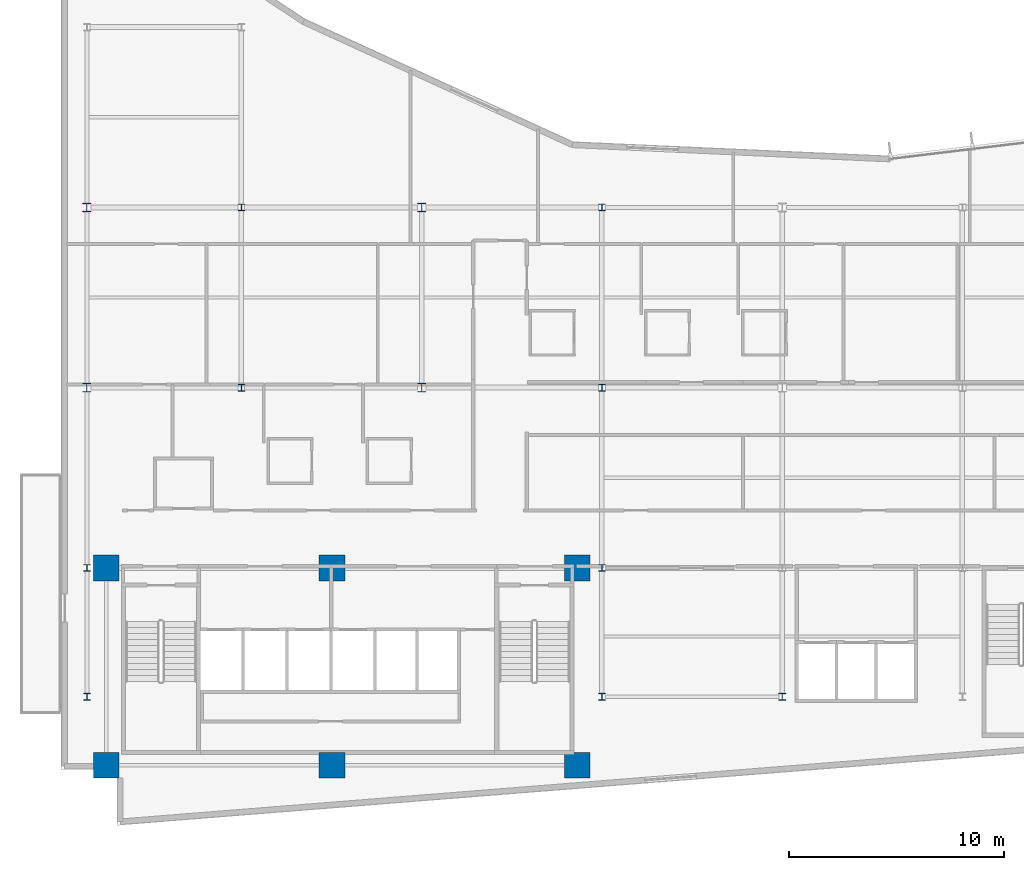
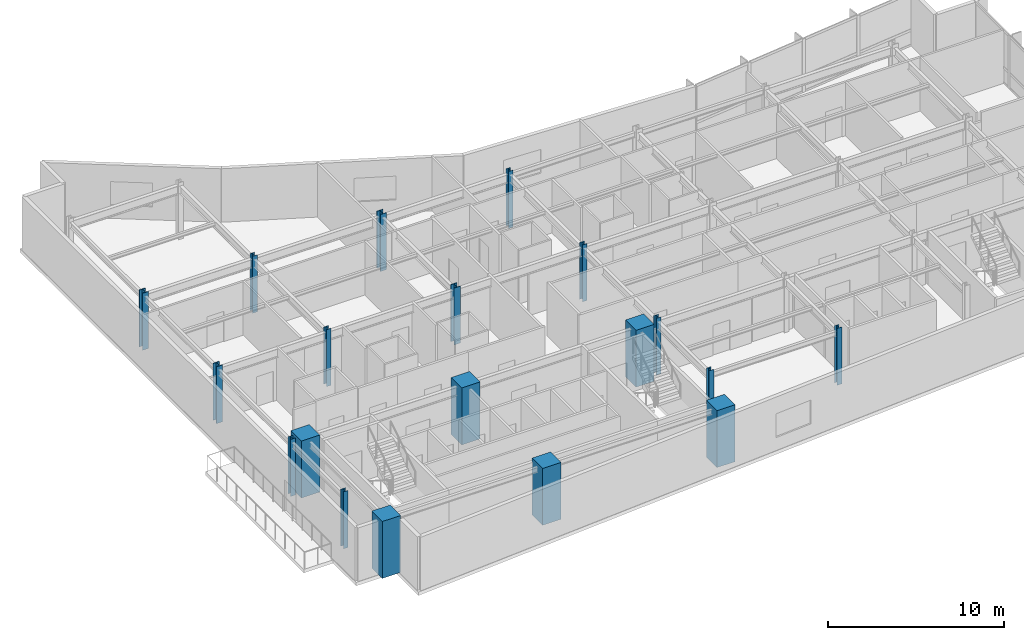
# One storey, part 1 of 18: 19 columns.
"""IFC4 building model written with IfcOpenShell, lengths in metres."""

from ifc_helpers import new_model, si_unit, direction, frame, origin, origin_2d, place, context, subcontext, project, spatial, rectangle, i_section, extrude, material, material_profile, profile_set, type_object, element, save


model = new_model("IFC4")

# Units and contexts
model_context = context("Model", 3, precision=1e-05, world=origin(), true_north=direction((0.0, 1.0)))
body_context = subcontext(model_context, "Body", "Model", "MODEL_VIEW")
ifc_project = project(units=[si_unit("LENGTHUNIT", "METRE"), si_unit("AREAUNIT", "SQUARE_METRE"), si_unit("VOLUMEUNIT", "CUBIC_METRE"), si_unit("PLANEANGLEUNIT", "RADIAN"), si_unit("MASSUNIT", "GRAM", prefix="KILO")], contexts=[model_context])

# Site, building, storey
site_placement = place(None, origin())
site = spatial("IfcSite", under=ifc_project, at=site_placement, CompositionType="ELEMENT")
building_placement = place(site_placement, origin())
building = spatial("IfcBuilding", under=site, at=building_placement, Name="Varnakote Quay Hospital", CompositionType="ELEMENT")
storey_placement = place(building_placement, frame((0.0, 0.0, 158.64990234375)))
storey = spatial("IfcBuildingStorey", under=building, at=storey_placement, Name="L39", CompositionType="ELEMENT", Elevation=158.64990234375)

# Columns
ifc_material_1 = material(Name="Concrete N80 (f'c 80 MPa)", Category="concrete")
ifc_material_profile_1 = material_profile(ifc_material_1, rectangle(XDim=1.199951171875, YDim=1.199951171875, at=origin_2d()), Name="RC-COL-1200x1200")
ifc_profile_set_1 = profile_set([ifc_material_profile_1], Name="Concrete N80 (f'c 80 MPa)")
column_type_1 = type_object("IfcColumnType", Name="COL-RC-1200", PredefinedType="COLUMN", material=ifc_profile_set_1)
for number, where, z_axis, x_axis, name in (
    (1, (2.10009765625, 2.800048828125, 0.0), (0.0, 0.0, 1.0), (1.0, 0.0, 0.0), "L39 Structural Column C-2-3"),
    (2, (12.6201171875, 2.800048828125, 0.0), (0.0, 0.0, 1.0), (1.0, 0.0, 0.0), "L39 Structural Column C-13-3"),
    (3, (24.050048828125, 2.800048828125, 0.0), (0.0, 0.0, 1.0), (1.0, 0.0, 0.0), "L39 Structural Column C-24-3"),
    (4, (2.10009765625, 12.0, 0.0), (0.0, 0.0, 1.0), (1.0, 0.0, 0.0), "L39 Structural Column C-2-12"),
    (5, (12.6201171875, 12.0, 0.0), (0.0, 0.0, 1.0), (1.0, 0.0, 0.0), "L39 Structural Column C-13-12"),
    (6, (24.050048828125, 12.0, 0.0), (0.0, 0.0, 1.0), (1.0, 0.0, 0.0), "L39 Structural Column C-24-12"),
):
    element("IfcColumn", number, at=place(storey_placement, frame(where, z_axis=z_axis, x_axis=x_axis)), inside=storey, type_object=column_type_1, Name=name, PredefinedType="COLUMN", context=body_context, shape_type="SweptSolid", body=[
        extrude(rectangle(XDim=1.199951171875, YDim=1.199951171875, at=origin_2d()), origin(), (0.0, 0.0, 1.0), 3.9501953125),
    ])
ifc_material_2 = material(Name="Structural steel AS/NZS 3679.1 Grade 350 L0 (fy 340 MPa)", Category="steel")
ifc_material_profile_2 = material_profile(ifc_material_2, i_section(OverallWidth=0.306884765625, OverallDepth=0.31494140625, WebThickness=0.011962890625, FlangeThickness=0.018798828125, FilletRadius=0.0166015625, at=origin_2d()), Name="310UC118")
ifc_profile_set_2 = profile_set([ifc_material_profile_2], Name="Structural steel AS/NZS 3679.1 Grade 350 L0 (fy 340 MPa)")
column_type_2 = type_object("IfcColumnType", Name="COL-STL-310UC118", PredefinedType="COLUMN", material=ifc_profile_set_2)
for number, where, z_axis, x_axis, name in (
    (7, (1.199951171875, 6.0, 0.0), (0.0, 0.0, 1.0), (1.0, 0.0, 0.0), "L39 Structural Column C-1-6"),
    (8, (25.199951171875, 6.0, 0.0), (0.0, 0.0, 1.0), (1.0, 0.0, 0.0), "L39 Structural Column C-25-6"),
    (9, (33.60009765625, 6.0, 0.0), (0.0, 0.0, 1.0), (1.0, 0.0, 0.0), "L39 Structural Column C-34-6"),
    (10, (1.199951171875, 12.0, 0.0), (0.0, 0.0, 1.0), (1.0, 0.0, 0.0), "L39 Structural Column C-1-12"),
    (11, (25.199951171875, 12.0, 0.0), (0.0, 0.0, 1.0), (1.0, 0.0, 0.0), "L39 Structural Column C-25-12"),
    (12, (8.39990234375, 20.39990234375, 0.0), (0.0, 0.0, 1.0), (1.0, 0.0, 0.0), "L39 Structural Column C-8-20"),
    (13, (25.199951171875, 20.39990234375, 0.0), (0.0, 0.0, 1.0), (1.0, 0.0, 0.0), "L39 Structural Column C-25-20"),
    (14, (8.39990234375, 28.800048828125, 0.0), (0.0, 0.0, 1.0), (1.0, 0.0, 0.0), "L39 Structural Column C-8-29"),
    (15, (25.199951171875, 28.800048828125, 0.0), (0.0, 0.0, 1.0), (1.0, 0.0, 0.0), "L39 Structural Column C-25-29"),
):
    element("IfcColumn", number, at=place(storey_placement, frame(where, z_axis=z_axis, x_axis=x_axis)), inside=storey, type_object=column_type_2, Name=name, PredefinedType="COLUMN", context=body_context, shape_type="SweptSolid", body=[
        extrude(i_section(OverallWidth=0.306884765625, OverallDepth=0.31494140625, WebThickness=0.011962890625, FlangeThickness=0.018798828125, FilletRadius=0.0166015625, at=origin_2d()), origin(), (0.0, 0.0, 1.0), 3.9501953125),
    ])
ifc_material_3 = material(Name="Structural steel AS/NZS 3678 Grade 350 (fy 340 MPa)", Category="steel")
ifc_material_profile_3 = material_profile(ifc_material_3, i_section(OverallWidth=0.39990234375, OverallDepth=0.419921875, WebThickness=0.02490234375, FlangeThickness=0.0400390625, at=origin_2d()), Name="400WC328")
ifc_profile_set_3 = profile_set([ifc_material_profile_3], Name="Structural steel AS/NZS 3678 Grade 350 (fy 340 MPa)")
column_type_3 = type_object("IfcColumnType", Name="COL-STL-400WC328", PredefinedType="COLUMN", material=ifc_profile_set_3)
for number, where, z_axis, x_axis, name in (
    (16, (1.199951171875, 20.39990234375, 0.0), (0.0, 0.0, 1.0), (1.0, 0.0, 0.0), "L39 Structural Column C-1-20"),
    (17, (16.800048828125, 20.39990234375, 0.0), (0.0, 0.0, 1.0), (1.0, 0.0, 0.0), "L39 Structural Column C-17-20"),
    (18, (1.199951171875, 28.800048828125, 0.0), (0.0, 0.0, 1.0), (1.0, 0.0, 0.0), "L39 Structural Column C-1-29"),
    (19, (16.800048828125, 28.800048828125, 0.0), (0.0, 0.0, 1.0), (1.0, 0.0, 0.0), "L39 Structural Column C-17-29"),
):
    element("IfcColumn", number, at=place(storey_placement, frame(where, z_axis=z_axis, x_axis=x_axis)), inside=storey, type_object=column_type_3, Name=name, PredefinedType="COLUMN", context=body_context, shape_type="SweptSolid", body=[
        extrude(i_section(OverallWidth=0.39990234375, OverallDepth=0.419921875, WebThickness=0.02490234375, FlangeThickness=0.0400390625, at=origin_2d()), origin(), (0.0, 0.0, 1.0), 3.9501953125),
    ])

save(model, "model.ifc")
